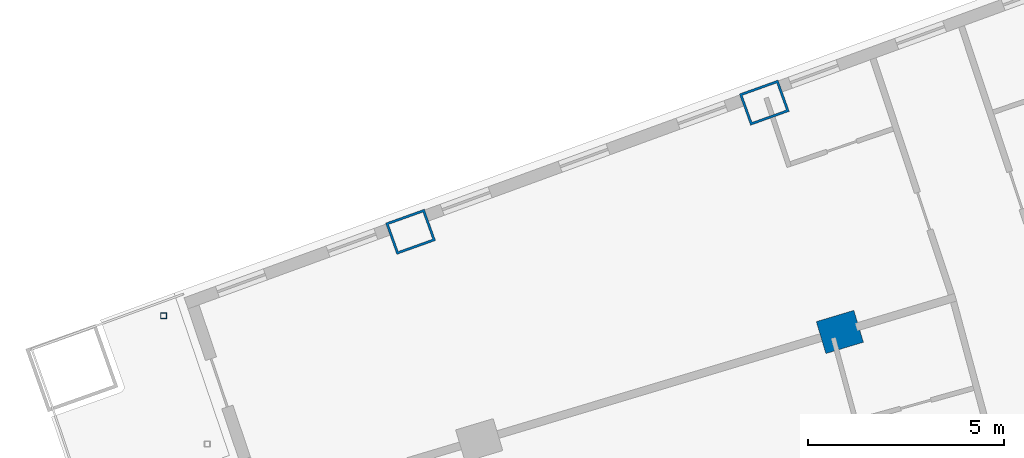
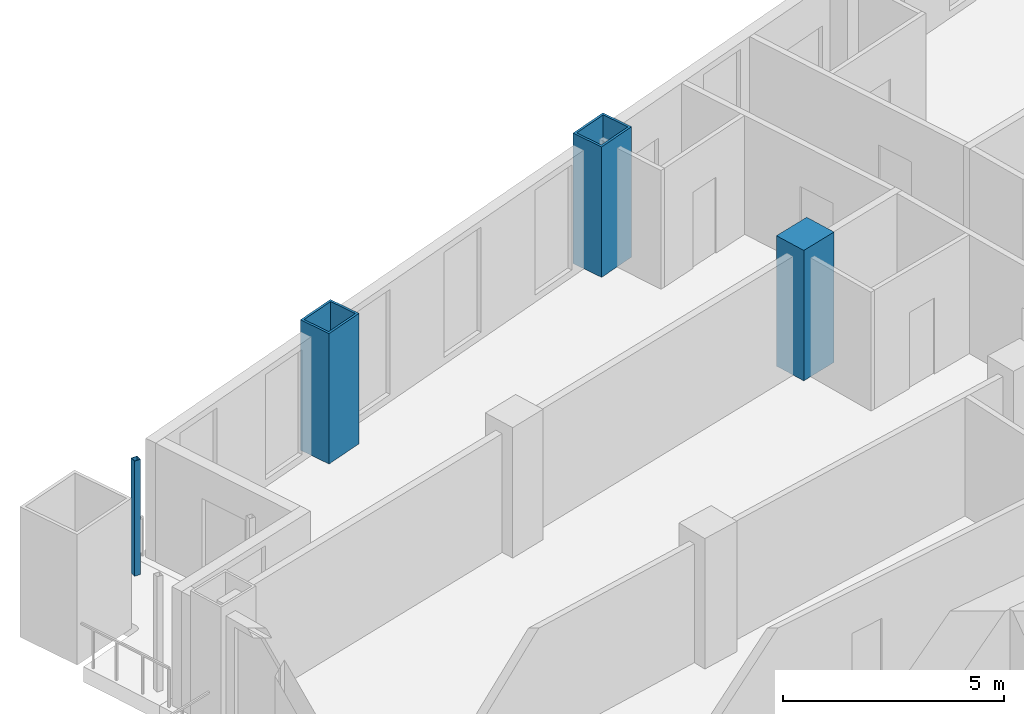
# One storey, part 9 of 25: 4 columns.
"""IFC4 building model written with IfcOpenShell, lengths in metres."""

from ifc_helpers import new_model, si_unit, direction, frame, origin, origin_2d, place, context, subcontext, project, spatial, rectangle, hollow_rectangle, extrude, material, material_profile, profile_set, type_object, element, save


model = new_model("IFC4")

# Units and contexts
model_context = context("Model", 3, precision=1e-05, world=origin(), true_north=direction((0.0, 1.0)))
body_context = subcontext(model_context, "Body", "Model", "MODEL_VIEW")
ifc_project = project(units=[si_unit("LENGTHUNIT", "METRE"), si_unit("AREAUNIT", "SQUARE_METRE"), si_unit("VOLUMEUNIT", "CUBIC_METRE"), si_unit("PLANEANGLEUNIT", "RADIAN"), si_unit("MASSUNIT", "GRAM", prefix="KILO")], contexts=[model_context])

# Site, building, storey
site_placement = place(None, origin())
site = spatial("IfcSite", under=ifc_project, at=site_placement, CompositionType="ELEMENT")
building_placement = place(site_placement, origin())
building = spatial("IfcBuilding", under=site, at=building_placement, Name="Alderwake Tower", CompositionType="ELEMENT")
storey_placement = place(building_placement, frame((0.0, 0.0, 86.0)))
storey = spatial("IfcBuildingStorey", under=building, at=storey_placement, Name="L20", CompositionType="ELEMENT", Elevation=86.0)

# Columns
ifc_material_1 = material(Name="Steel ASTM A572 Grade 50 concrete filled C70/85", Category="concrete")
ifc_material_profile_1 = material_profile(ifc_material_1, hollow_rectangle(XDim=0.85009765625, YDim=1.050048828125, WallThickness=0.06005859375, at=origin_2d()), Name="BOX 1050X850X60")
ifc_profile_set_1 = profile_set([ifc_material_profile_1], Name="Steel ASTM A572 Grade 50 concrete filled C70/85")
column_type_1 = type_object("IfcColumnType", Name="End column Z2", PredefinedType="COLUMN", material=ifc_profile_set_1)
for number, where, z_axis, x_axis, name in (
    (1, (19.965576171875, 96.8515625, 0.0), (0.0, 0.0, 1.0), (-0.337584879279, 0.9412950915, 0.0), "Column R13-C1"),
    (2, (28.983642578125, 100.143310546875, 0.0), (0.0, 0.0, 1.0), (-0.338026774049, 0.941136493834, 0.0), "Column R13-C2"),
):
    element("IfcColumn", number, at=place(storey_placement, frame(where, z_axis=z_axis, x_axis=x_axis)), inside=storey, type_object=column_type_1, Name=name, PredefinedType="COLUMN", context=body_context, shape_type="SweptSolid", body=[
        extrude(hollow_rectangle(XDim=0.85009765625, YDim=1.050048828125, WallThickness=0.06005859375, at=origin_2d()), origin(), (0.0, 0.0, 1.0), 3.60009765625),
    ])
ifc_material_2 = material(Name="Concrete C70/85", Category="concrete")
ifc_material_profile_2 = material_profile(ifc_material_2, rectangle(XDim=0.85009765625, YDim=1.0, at=origin_2d()), Name="RC 1000X850")
ifc_profile_set_2 = profile_set([ifc_material_profile_2], Name="Concrete C70/85")
column_type_2 = type_object("IfcColumnType", Name="Interior column Z2", PredefinedType="COLUMN", material=ifc_profile_set_2)
column_1_placement = place(storey_placement, frame((30.9091796875, 94.298095703125, 0.0), z_axis=(0.0, 0.0, 1.0), x_axis=(-0.287549418125, 0.957765802342, 0.0)))
element("IfcColumn", 3, at=column_1_placement, inside=storey, type_object=column_type_2, Name="Column R12-C2", PredefinedType="COLUMN", context=body_context, shape_type="SweptSolid", body=[
    extrude(rectangle(XDim=0.85009765625, YDim=1.0, at=origin_2d()), origin(), (0.0, 0.0, 1.0), 3.60009765625),
])
ifc_material_3 = material(Name="Steel ASTM A500 Grade C", Category="steel")
ifc_material_profile_3 = material_profile(ifc_material_3, hollow_rectangle(XDim=0.15234375, YDim=0.15234375, WallThickness=0.0087890625, at=origin_2d()), Name="HSS6X6X3/8")
ifc_profile_set_3 = profile_set([ifc_material_profile_3], Name="Steel ASTM A500 Grade C")
column_type_3 = type_object("IfcColumnType", Name="Light post HSS6X6X3/8", PredefinedType="COLUMN", material=ifc_profile_set_3)
column_2_placement = place(storey_placement, frame((13.66796875, 94.71240234375, 0.0), z_axis=(0.0, 0.0, 1.0), x_axis=(1.0, 0.0, 0.0)))
element("IfcColumn", 4, at=column_2_placement, inside=storey, type_object=column_type_3, Name="Terrace post RN2", PredefinedType="COLUMN", context=body_context, shape_type="SweptSolid", body=[
    extrude(hollow_rectangle(XDim=0.15234375, YDim=0.15234375, WallThickness=0.0087890625, at=origin_2d()), origin(), (0.0, 0.0, 1.0), 3.179931640625),
])

save(model, "model.ifc")
